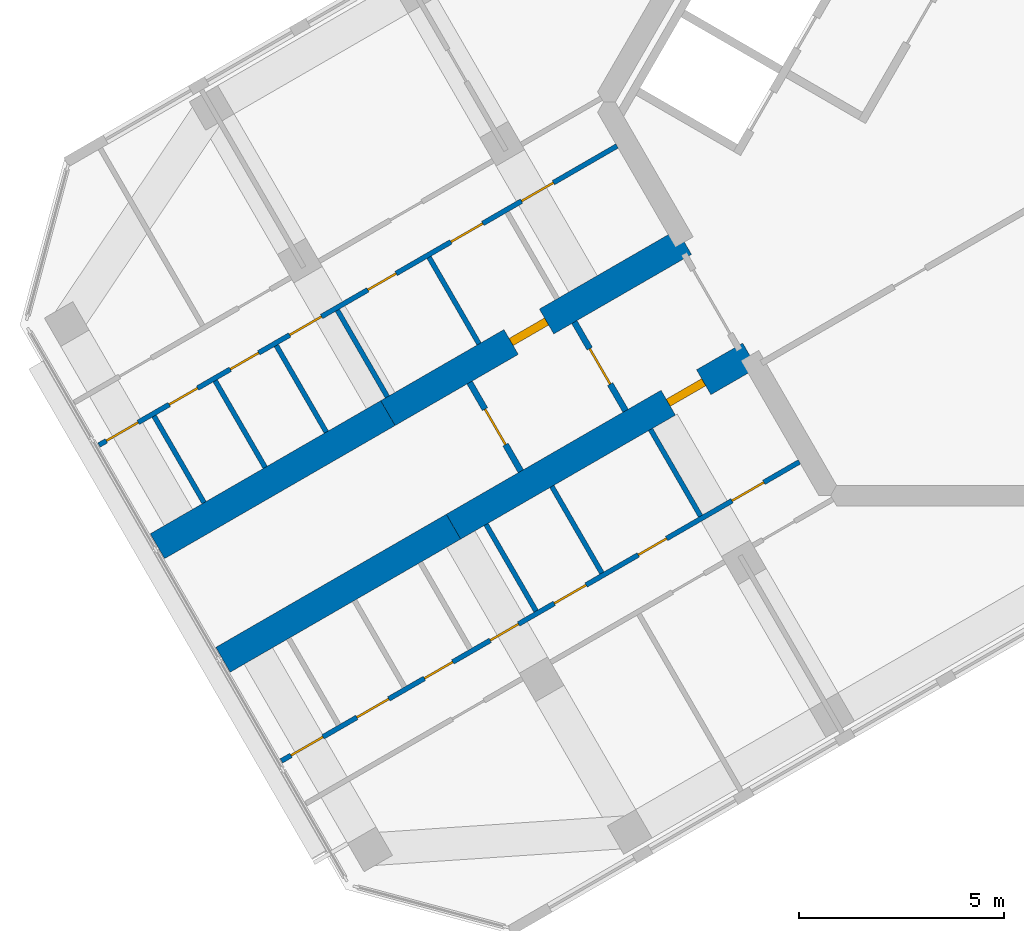
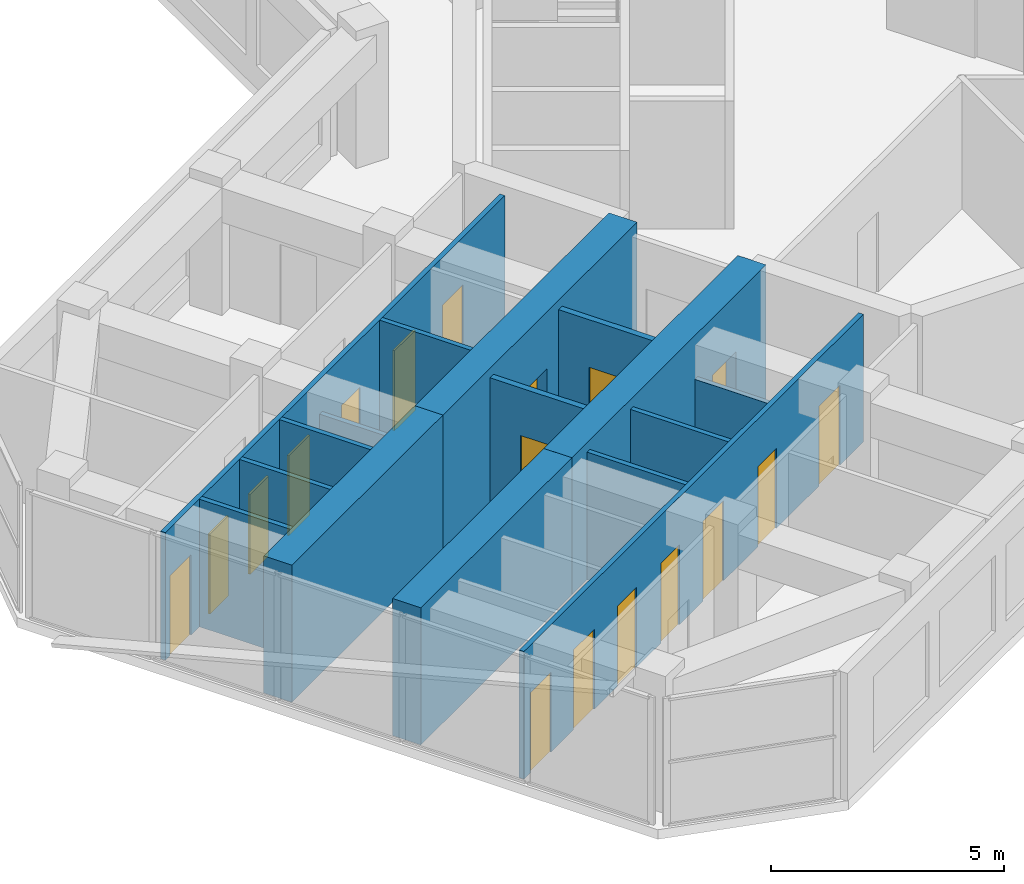
# One storey, part 7 of 14: 18 doors, 16 walls, 18 openings.
"""IFC4 building model written with IfcOpenShell, lengths in metres."""

from ifc_helpers import new_model, si_unit, direction, frame, frame_2d, origin, place, context, subcontext, project, spatial, rectangle, extrude, material, layer, layer_set, type_object, element, fill, save


model = new_model("IFC4")

# Units and contexts
model_context = context("Model", 3, precision=1e-05, world=origin(), true_north=direction((0.0, 1.0)))
body_context = subcontext(model_context, "Body", "Model", "MODEL_VIEW")
ifc_project = project(units=[si_unit("LENGTHUNIT", "METRE"), si_unit("AREAUNIT", "SQUARE_METRE"), si_unit("VOLUMEUNIT", "CUBIC_METRE"), si_unit("PLANEANGLEUNIT", "RADIAN"), si_unit("MASSUNIT", "GRAM", prefix="KILO")], contexts=[model_context])

# Site, building, storey
site_placement = place(None, origin())
site = spatial("IfcSite", under=ifc_project, at=site_placement, CompositionType="ELEMENT")
building_placement = place(site_placement, origin())
building = spatial("IfcBuilding", under=site, at=building_placement, Name="Kosmar Iwan School Tower", CompositionType="ELEMENT")
storey_placement = place(building_placement, frame((0.0, 0.0, 285.39990234375)))
storey = spatial("IfcBuildingStorey", under=building, at=storey_placement, Name="L72", CompositionType="ELEMENT", Elevation=285.39990234375)

# Wall, opening, door
ifc_material_1 = material(Name="Concrete C50/60", Category="concrete")
ifc_layer_1 = layer(ifc_material_1, 0.699951171875)
ifc_layer_set_1 = layer_set([ifc_layer_1], Name="Corridor buttress wall 700")
wall_type_1 = type_object("IfcWallType", Name="Corridor buttress wall 700", PredefinedType="SHEAR", material=ifc_layer_set_1)
wall_1_placement = place(storey_placement, frame((-7.513916015625, -6.185546875, 0.0), z_axis=(0.0, 0.0, 1.0), x_axis=(-0.866019549707, -0.500010139422, 0.0)))
wall_1 = element("IfcWall", 1, at=wall_1_placement, inside=storey, type_object=wall_type_1, Name="Corridor wall BL", PredefinedType="SHEAR", context=body_context, shape_type="SweptSolid", body=[
    extrude(rectangle(XDim=8.349853515625, YDim=0.699951171875, at=frame_2d((4.1748046875, 0.0))), origin(), (0.0, 0.0, 1.0), 3.60009765625),
])
opening_1_placement = place(wall_1_placement, frame((1.300048828125, 0.0, 0.0)))
opening_1 = element("IfcOpeningElement", 2, at=opening_1_placement, cuts=wall_1, Name="Opening D1", PredefinedType="OPENING", context=body_context, shape_type="SweptSolid", body=[
    extrude(rectangle(XDim=1.0, YDim=2.10009765625, at=frame_2d((0.5, 1.050048828125))), frame((0.0, 0.362060546875, 0.0), z_axis=(0.0, -1.0, 0.0), x_axis=(1.0, 0.0, 0.0)), (0.0, 0.0, 1.0), 0.723876953125),
])
ifc_material_2 = material(Name="Timber fire door in steel frame", Category="steel")
door_type_1 = type_object("IfcDoorType", Name="Flat entrance door 1000x2100", OperationType="SINGLE_SWING_LEFT", PredefinedType="DOOR", material=ifc_material_2)
door_1_placement = place(opening_1_placement, origin())
door_1 = element("IfcDoor", 3, at=door_1_placement, inside=storey, type_object=door_type_1, Name="Flat L72-BL1 entrance door", OperationType="SINGLE_SWING_RIGHT", OverallHeight=2.10009765625, OverallWidth=1.0, PredefinedType="DOOR", context=body_context, shape_type="SweptSolid", body=[
    extrude(rectangle(XDim=1.0, YDim=2.10009765625, at=frame_2d((0.5, 1.050048828125))), frame((0.0, 0.10009765625, 0.0), z_axis=(0.0, -1.0, 0.0), x_axis=(1.0, 0.0, 0.0)), (0.0, 0.0, 1.0), 0.199951171875),
])
fill(opening_1, door_1)

# Wall
wall_2_placement = place(storey_placement, frame((-14.7451171875, -10.360595703125, 0.0), z_axis=(0.0, 0.0, 1.0), x_axis=(-0.866027848477, -0.499995765644, 0.0)))
element("IfcWall", 4, at=wall_2_placement, inside=storey, type_object=wall_type_1, Name="Corridor wall BL bay 2", PredefinedType="SHEAR", context=body_context, shape_type="SweptSolid", body=[
    extrude(rectangle(XDim=6.4951171875, YDim=0.699951171875, at=frame_2d((3.24755859375, 0.0))), origin(), (0.0, 0.0, 1.0), 3.60009765625),
])

# Wall, opening, door
wall_3_placement = place(storey_placement, frame((-9.11376953125, -3.414306640625, 0.0), z_axis=(0.0, 0.0, 1.0), x_axis=(-0.866026859388, -0.499997478812, 0.0)))
wall_3 = element("IfcWall", 5, at=wall_3_placement, inside=storey, type_object=wall_type_1, Name="Corridor wall BR", PredefinedType="SHEAR", context=body_context, shape_type="SweptSolid", body=[
    extrude(rectangle(XDim=8.35009765625, YDim=0.699951171875, at=frame_2d((4.175048828125, 0.0))), origin(), (0.0, 0.0, 1.0), 3.60009765625),
])
opening_2_placement = place(wall_3_placement, frame((3.8798828125, 0.0, 0.0)))
opening_2 = element("IfcOpeningElement", 6, at=opening_2_placement, cuts=wall_3, Name="Opening D1", PredefinedType="OPENING", context=body_context, shape_type="SweptSolid", body=[
    extrude(rectangle(XDim=1.0, YDim=2.10009765625, at=frame_2d((0.5, 1.050048828125))), frame((0.0, 0.362060546875, 0.0), z_axis=(0.0, -1.0, 0.0), x_axis=(1.0, 0.0, 0.0)), (0.0, 0.0, 1.0), 0.723876953125),
])
door_2_placement = place(opening_2_placement, origin())
door_2 = element("IfcDoor", 7, at=door_2_placement, inside=storey, type_object=door_type_1, Name="Flat L72-BR1 entrance door", OperationType="SINGLE_SWING_LEFT", OverallHeight=2.10009765625, OverallWidth=1.0, PredefinedType="DOOR", context=body_context, shape_type="SweptSolid", body=[
    extrude(rectangle(XDim=1.0, YDim=2.10009765625, at=frame_2d((0.5, 1.050048828125))), frame((0.0, 0.10009765625, 0.0), z_axis=(0.0, -1.0, 0.0), x_axis=(1.0, 0.0, 0.0)), (0.0, 0.0, 1.0), 0.199951171875),
])
fill(opening_2, door_2)

# Wall
wall_4_placement = place(storey_placement, frame((-16.34521484375, -7.58935546875, 0.0), z_axis=(0.0, 0.0, 1.0), x_axis=(-0.866018451174, -0.500012042081, 0.0)))
element("IfcWall", 8, at=wall_4_placement, inside=storey, type_object=wall_type_1, Name="Corridor wall BR bay 2", PredefinedType="SHEAR", context=body_context, shape_type="SweptSolid", body=[
    extrude(rectangle(XDim=6.494873046875, YDim=0.699951171875, at=frame_2d((3.24755859375, 0.0))), origin(), (0.0, 0.0, 1.0), 3.60009765625),
])

# Wall, opening, door
ifc_material_3 = material(Name="Gypsum board on steel studs, fire-rated", Category="steel")
ifc_layer_2 = layer(ifc_material_3, 0.14990234375)
ifc_layer_set_2 = layer_set([ifc_layer_2], Name="Corridor end wall 150")
wall_type_2 = type_object("IfcWallType", Name="Corridor end wall 150", PredefinedType="PARTITIONING", material=ifc_layer_set_2)
wall_5_placement = place(storey_placement, frame((-14.3515625, -6.842529296875, 0.0), z_axis=(0.0, 0.0, 1.0), x_axis=(0.500004234368, -0.866022959057, 0.0)))
wall_5 = element("IfcWall", 9, at=wall_5_placement, inside=storey, type_object=wall_type_2, Name="Partition L72-B-CE", PredefinedType="PARTITIONING", context=body_context, shape_type="SweptSolid", body=[
    extrude(rectangle(XDim=2.5, YDim=0.14990234375, at=frame_2d((1.25, 0.0))), origin(), (0.0, 0.0, 1.0), 3.35009765625),
])
opening_3_placement = place(wall_5_placement, frame((0.75, 0.0, 0.0)))
opening_3 = element("IfcOpeningElement", 10, at=opening_3_placement, cuts=wall_5, Name="Opening D13", PredefinedType="OPENING", context=body_context, shape_type="SweptSolid", body=[
    extrude(rectangle(XDim=1.0, YDim=2.10009765625, at=frame_2d((0.5, 1.050048828125))), frame((0.0, 0.0869140625, 0.0), z_axis=(0.0, -1.0, 0.0), x_axis=(1.0, 0.0, 0.0)), (0.0, 0.0, 1.0), 0.173828125),
])
ifc_material_4 = material(Name="Timber fire door with vision panel", Category="wood")
door_type_2 = type_object("IfcDoorType", Name="Corridor end door 1000x2100", OperationType="SINGLE_SWING_LEFT", PredefinedType="DOOR", material=ifc_material_4)
door_3_placement = place(opening_3_placement, origin())
door_3 = element("IfcDoor", 11, at=door_3_placement, inside=storey, type_object=door_type_2, Name="Prayer room door L72-B", OperationType="SINGLE_SWING_RIGHT", OverallHeight=2.10009765625, OverallWidth=1.0, PredefinedType="DOOR", context=body_context, shape_type="SweptSolid", body=[
    extrude(rectangle(XDim=1.0, YDim=2.10009765625, at=frame_2d((0.5, 1.050048828125))), frame((0.0, 0.02490234375, 0.0), z_axis=(0.0, -1.0, 0.0), x_axis=(1.0, 0.0, 0.0)), (0.0, 0.0, 1.0), 0.050048828125),
])
fill(opening_3, door_3)

wall_6_placement = place(storey_placement, frame((-11.796630859375, -5.367431640625, 0.0), z_axis=(0.0, 0.0, 1.0), x_axis=(0.500004234368, -0.866022959057, 0.0)))
wall_6 = element("IfcWall", 12, at=wall_6_placement, inside=storey, type_object=wall_type_2, Name="Partition L72-B-HW", PredefinedType="PARTITIONING", context=body_context, shape_type="SweptSolid", body=[
    extrude(rectangle(XDim=2.5, YDim=0.14990234375, at=frame_2d((1.25, 0.0))), origin(), (0.0, 0.0, 1.0), 3.35009765625),
])
opening_4_placement = place(wall_6_placement, frame((0.75, 0.0, 0.0)))
opening_4 = element("IfcOpeningElement", 13, at=opening_4_placement, cuts=wall_6, Name="Opening D13", PredefinedType="OPENING", context=body_context, shape_type="SweptSolid", body=[
    extrude(rectangle(XDim=1.0, YDim=2.10009765625, at=frame_2d((0.5, 1.050048828125))), frame((0.0, 0.0869140625, 0.0), z_axis=(0.0, -1.0, 0.0), x_axis=(1.0, 0.0, 0.0)), (0.0, 0.0, 1.0), 0.173828125),
])
door_4_placement = place(opening_4_placement, origin())
door_4 = element("IfcDoor", 14, at=door_4_placement, inside=storey, type_object=door_type_2, Name="Entrance door L72-B", OperationType="SINGLE_SWING_LEFT", OverallHeight=2.10009765625, OverallWidth=1.0, PredefinedType="DOOR", context=body_context, shape_type="SweptSolid", body=[
    extrude(rectangle(XDim=1.0, YDim=2.10009765625, at=frame_2d((0.5, 1.050048828125))), frame((0.0, 0.02490234375, 0.0), z_axis=(0.0, -1.0, 0.0), x_axis=(1.0, 0.0, 0.0)), (0.0, 0.0, 1.0), 0.050048828125),
])
fill(opening_4, door_4)

# Wall, openings, doors
ifc_material_5 = material(Name="Gypsum board on steel studs", Category="steel")
ifc_layer_3 = layer(ifc_material_5, 0.1201171875)
ifc_layer_set_3 = layer_set([ifc_layer_3], Name="Dwelling partition 120")
wall_type_3 = type_object("IfcWallType", Name="Dwelling partition 120", PredefinedType="PARTITIONING", material=ifc_layer_set_3)
wall_7_placement = place(storey_placement, frame((-6.305419921875, -8.77880859375, 0.0), z_axis=(0.0, 0.0, 1.0), x_axis=(-0.866022348096, -0.50000529257, 0.0)))
wall_7 = element("IfcWall", 15, at=wall_7_placement, inside=storey, type_object=wall_type_3, Name="Partition L72-BL1-W1", PredefinedType="PARTITIONING", context=body_context, shape_type="SweptSolid", body=[
    extrude(rectangle(XDim=14.594970703125, YDim=0.1201171875, at=frame_2d((7.29736328125, 0.0))), origin(), (0.0, 0.0, 1.0), 3.35009765625),
])
opening_5_placement = place(wall_7_placement, frame((1.0, 0.0, 0.0)))
opening_5 = element("IfcOpeningElement", 16, at=opening_5_placement, cuts=wall_7, Name="Opening D2", PredefinedType="OPENING", context=body_context, shape_type="SweptSolid", body=[
    extrude(rectangle(XDim=0.89990234375, YDim=2.10009765625, at=frame_2d((0.449951171875, 1.050048828125))), frame((0.0, 0.072021484375, 0.0), z_axis=(0.0, -1.0, 0.0), x_axis=(1.0, 0.0, 0.0)), (0.0, 0.0, 1.0), 0.14404296875),
])
opening_6_placement = place(wall_7_placement, frame((3.740478515625, 0.0, 0.0)))
opening_6 = element("IfcOpeningElement", 17, at=opening_6_placement, cuts=wall_7, Name="Opening D3", PredefinedType="OPENING", context=body_context, shape_type="SweptSolid", body=[
    extrude(rectangle(XDim=0.800048828125, YDim=2.10009765625, at=frame_2d((0.39990234375, 1.050048828125))), frame((0.0, 0.072021484375, 0.0), z_axis=(0.0, -1.0, 0.0), x_axis=(1.0, 0.0, 0.0)), (0.0, 0.0, 1.0), 0.14404296875),
])
opening_7_placement = place(wall_7_placement, frame((6.0078125, 0.0, 0.0)))
opening_7 = element("IfcOpeningElement", 18, at=opening_7_placement, cuts=wall_7, Name="Opening D2", PredefinedType="OPENING", context=body_context, shape_type="SweptSolid", body=[
    extrude(rectangle(XDim=0.89990234375, YDim=2.10009765625, at=frame_2d((0.449951171875, 1.050048828125))), frame((0.0, 0.072021484375, 0.0), z_axis=(0.0, -1.0, 0.0), x_axis=(1.0, 0.0, 0.0)), (0.0, 0.0, 1.0), 0.14404296875),
])
opening_8_placement = place(wall_7_placement, frame((7.91162109375, 0.0, 0.0)))
opening_8 = element("IfcOpeningElement", 19, at=opening_8_placement, cuts=wall_7, Name="Opening D3", PredefinedType="OPENING", context=body_context, shape_type="SweptSolid", body=[
    extrude(rectangle(XDim=0.800048828125, YDim=2.10009765625, at=frame_2d((0.39990234375, 1.050048828125))), frame((0.0, 0.072021484375, 0.0), z_axis=(0.0, -1.0, 0.0), x_axis=(1.0, 0.0, 0.0)), (0.0, 0.0, 1.0), 0.14404296875),
])
opening_9_placement = place(wall_7_placement, frame((9.765380859375, 0.0, 0.0)))
opening_9 = element("IfcOpeningElement", 20, at=opening_9_placement, cuts=wall_7, Name="Opening D3", PredefinedType="OPENING", context=body_context, shape_type="SweptSolid", body=[
    extrude(rectangle(XDim=0.800048828125, YDim=2.10009765625, at=frame_2d((0.39990234375, 1.050048828125))), frame((0.0, 0.072021484375, 0.0), z_axis=(0.0, -1.0, 0.0), x_axis=(1.0, 0.0, 0.0)), (0.0, 0.0, 1.0), 0.14404296875),
])
opening_10_placement = place(wall_7_placement, frame((11.5693359375, 0.0, 0.0)))
opening_10 = element("IfcOpeningElement", 21, at=opening_10_placement, cuts=wall_7, Name="Opening D2", PredefinedType="OPENING", context=body_context, shape_type="SweptSolid", body=[
    extrude(rectangle(XDim=0.89990234375, YDim=2.10009765625, at=frame_2d((0.449951171875, 1.050048828125))), frame((0.0, 0.072021484375, 0.0), z_axis=(0.0, -1.0, 0.0), x_axis=(1.0, 0.0, 0.0)), (0.0, 0.0, 1.0), 0.14404296875),
])
opening_11_placement = place(wall_7_placement, frame((13.423095703125, 0.0, 0.0)))
opening_11 = element("IfcOpeningElement", 22, at=opening_11_placement, cuts=wall_7, Name="Opening D2", PredefinedType="OPENING", context=body_context, shape_type="SweptSolid", body=[
    extrude(rectangle(XDim=0.89990234375, YDim=2.10009765625, at=frame_2d((0.449951171875, 1.050048828125))), frame((0.0, 0.072021484375, 0.0), z_axis=(0.0, -1.0, 0.0), x_axis=(1.0, 0.0, 0.0)), (0.0, 0.0, 1.0), 0.14404296875),
])
ifc_material_6 = material(Name="Timber door in timber frame", Category="wood")
door_type_3 = type_object("IfcDoorType", Name="Internal door 900x2100", OperationType="SINGLE_SWING_LEFT", PredefinedType="DOOR", material=ifc_material_6)
door_5_placement = place(opening_5_placement, origin())
door_5 = element("IfcDoor", 23, at=door_5_placement, inside=storey, type_object=door_type_3, Name="Entrance hall door L72-BL1-S1", OperationType="SINGLE_SWING_LEFT", OverallHeight=2.10009765625, OverallWidth=0.89990234375, PredefinedType="DOOR", context=body_context, shape_type="SweptSolid", body=[
    extrude(rectangle(XDim=0.89990234375, YDim=2.10009765625, at=frame_2d((0.449951171875, 1.050048828125))), frame((0.0, 0.02490234375, 0.0), z_axis=(0.0, -1.0, 0.0), x_axis=(1.0, 0.0, 0.0)), (0.0, 0.0, 1.0), 0.050048828125),
])
fill(opening_5, door_5)
door_6_placement = place(opening_7_placement, origin())
door_6 = element("IfcDoor", 24, at=door_6_placement, inside=storey, type_object=door_type_3, Name="Pantry door L72-BL1-S3", OperationType="SINGLE_SWING_LEFT", OverallHeight=2.10009765625, OverallWidth=0.89990234375, PredefinedType="DOOR", context=body_context, shape_type="SweptSolid", body=[
    extrude(rectangle(XDim=0.89990234375, YDim=2.10009765625, at=frame_2d((0.449951171875, 1.050048828125))), frame((0.0, 0.02490234375, 0.0), z_axis=(0.0, -1.0, 0.0), x_axis=(1.0, 0.0, 0.0)), (0.0, 0.0, 1.0), 0.050048828125),
])
fill(opening_7, door_6)
door_7_placement = place(opening_10_placement, origin())
door_7 = element("IfcDoor", 25, at=door_7_placement, inside=storey, type_object=door_type_3, Name="Utility room door L72-BL1-S6", OperationType="SINGLE_SWING_RIGHT", OverallHeight=2.10009765625, OverallWidth=0.89990234375, PredefinedType="DOOR", context=body_context, shape_type="SweptSolid", body=[
    extrude(rectangle(XDim=0.89990234375, YDim=2.10009765625, at=frame_2d((0.449951171875, 1.050048828125))), frame((0.0, 0.02490234375, 0.0), z_axis=(0.0, -1.0, 0.0), x_axis=(1.0, 0.0, 0.0)), (0.0, 0.0, 1.0), 0.050048828125),
])
fill(opening_10, door_7)
door_8_placement = place(opening_11_placement, origin())
door_8 = element("IfcDoor", 26, at=door_8_placement, inside=storey, type_object=door_type_3, Name="Dressing room door L72-BL1-S7", OperationType="SINGLE_SWING_RIGHT", OverallHeight=2.10009765625, OverallWidth=0.89990234375, PredefinedType="DOOR", context=body_context, shape_type="SweptSolid", body=[
    extrude(rectangle(XDim=0.89990234375, YDim=2.10009765625, at=frame_2d((0.449951171875, 1.050048828125))), frame((0.0, 0.02490234375, 0.0), z_axis=(0.0, -1.0, 0.0), x_axis=(1.0, 0.0, 0.0)), (0.0, 0.0, 1.0), 0.050048828125),
])
fill(opening_11, door_8)
ifc_material_7 = material(Name="Timber door in timber frame", Category="wood")
door_type_4 = type_object("IfcDoorType", Name="Sanitary room door 800x2100", OperationType="SINGLE_SWING_LEFT", PredefinedType="DOOR", material=ifc_material_7)
door_9_placement = place(opening_6_placement, origin())
door_9 = element("IfcDoor", 27, at=door_9_placement, inside=storey, type_object=door_type_4, Name="Bathroom door L72-BL1-S2", OperationType="SINGLE_SWING_LEFT", OverallHeight=2.10009765625, OverallWidth=0.800048828125, PredefinedType="DOOR", context=body_context, shape_type="SweptSolid", body=[
    extrude(rectangle(XDim=0.800048828125, YDim=2.10009765625, at=frame_2d((0.39990234375, 1.050048828125))), frame((0.0, 0.02490234375, 0.0), z_axis=(0.0, -1.0, 0.0), x_axis=(1.0, 0.0, 0.0)), (0.0, 0.0, 1.0), 0.050048828125),
])
fill(opening_6, door_9)
door_10_placement = place(opening_8_placement, origin())
door_10 = element("IfcDoor", 28, at=door_10_placement, inside=storey, type_object=door_type_4, Name="WC door L72-BL1-S4", OperationType="SINGLE_SWING_RIGHT", OverallHeight=2.10009765625, OverallWidth=0.800048828125, PredefinedType="DOOR", context=body_context, shape_type="SweptSolid", body=[
    extrude(rectangle(XDim=0.800048828125, YDim=2.10009765625, at=frame_2d((0.39990234375, 1.050048828125))), frame((0.0, 0.02490234375, 0.0), z_axis=(0.0, -1.0, 0.0), x_axis=(1.0, 0.0, 0.0)), (0.0, 0.0, 1.0), 0.050048828125),
])
fill(opening_8, door_10)
door_11_placement = place(opening_9_placement, origin())
door_11 = element("IfcDoor", 29, at=door_11_placement, inside=storey, type_object=door_type_4, Name="Store door L72-BL1-S5", OperationType="SINGLE_SWING_RIGHT", OverallHeight=2.10009765625, OverallWidth=0.800048828125, PredefinedType="DOOR", context=body_context, shape_type="SweptSolid", body=[
    extrude(rectangle(XDim=0.800048828125, YDim=2.10009765625, at=frame_2d((0.39990234375, 1.050048828125))), frame((0.0, 0.02490234375, 0.0), z_axis=(0.0, -1.0, 0.0), x_axis=(1.0, 0.0, 0.0)), (0.0, 0.0, 1.0), 0.050048828125),
])
fill(opening_9, door_11)

# Walls
wall_8_placement = place(storey_placement, frame((-9.93701171875, -7.98876953125, 0.0), z_axis=(0.0, 0.0, 1.0), x_axis=(0.500077547548, -0.865980627057, 0.0)))
element("IfcWall", 30, at=wall_8_placement, inside=storey, type_object=wall_type_3, Name="Partition L72-BL1-Y1", PredefinedType="PARTITIONING", context=body_context, shape_type="SweptSolid", body=[
    extrude(rectangle(XDim=2.43994140625, YDim=0.1201171875, at=frame_2d((1.219970703125, 0.0))), origin(), (0.0, 0.0, 1.0), 2.4501953125),
])
for number, where, z_axis, x_axis, name in (
    (31, (-12.34521484375, -9.379150390625, 0.0), (0.0, 0.0, 1.0), (0.500002508028, -0.866023955769, 0.0), "Partition L72-BL1-Y2"),
    (32, (-13.95068359375, -10.30615234375, 0.0), (0.0, 0.0, 1.0), (0.500002508028, -0.866023955769, 0.0), "Partition L72-BL1-Y3"),
):
    element("IfcWall", number, at=place(storey_placement, frame(where, z_axis=z_axis, x_axis=x_axis)), inside=storey, type_object=wall_type_3, Name=name, PredefinedType="PARTITIONING", context=body_context, shape_type="SweptSolid", body=[
        extrude(rectangle(XDim=2.43994140625, YDim=0.1201171875, at=frame_2d((1.219970703125, 0.0))), origin(), (0.0, 0.0, 1.0), 3.35009765625),
    ])

# Wall, openings, doors
wall_9_placement = place(storey_placement, frame((-10.75537109375, -1.0712890625, 0.0), z_axis=(0.0, 0.0, 1.0), x_axis=(-0.866029591389, -0.499992746786, 0.0)))
wall_9 = element("IfcWall", 33, at=wall_9_placement, inside=storey, type_object=wall_type_3, Name="Partition L72-BR1-W1", PredefinedType="PARTITIONING", context=body_context, shape_type="SweptSolid", body=[
    extrude(rectangle(XDim=14.594970703125, YDim=0.1201171875, at=frame_2d((7.29736328125, 0.0))), origin(), (0.0, 0.0, 1.0), 3.35009765625),
])
opening_12_placement = place(wall_9_placement, frame((1.7900390625, 0.0, 0.0)))
opening_12 = element("IfcOpeningElement", 34, at=opening_12_placement, cuts=wall_9, Name="Opening D2", PredefinedType="OPENING", context=body_context, shape_type="SweptSolid", body=[
    extrude(rectangle(XDim=0.89990234375, YDim=2.10009765625, at=frame_2d((0.449951171875, 1.050048828125))), frame((0.0, 0.072021484375, 0.0), z_axis=(0.0, -1.0, 0.0), x_axis=(1.0, 0.0, 0.0)), (0.0, 0.0, 1.0), 0.14404296875),
])
opening_13_placement = place(wall_9_placement, frame((3.780029296875, 0.0, 0.0)))
opening_13 = element("IfcOpeningElement", 35, at=opening_13_placement, cuts=wall_9, Name="Opening D2", PredefinedType="OPENING", context=body_context, shape_type="SweptSolid", body=[
    extrude(rectangle(XDim=0.89990234375, YDim=2.10009765625, at=frame_2d((0.449951171875, 1.050048828125))), frame((0.0, 0.072021484375, 0.0), z_axis=(0.0, -1.0, 0.0), x_axis=(1.0, 0.0, 0.0)), (0.0, 0.0, 1.0), 0.14404296875),
])
opening_14_placement = place(wall_9_placement, frame((6.221435546875, 0.0, 0.0)))
opening_14 = element("IfcOpeningElement", 36, at=opening_14_placement, cuts=wall_9, Name="Opening D3", PredefinedType="OPENING", context=body_context, shape_type="SweptSolid", body=[
    extrude(rectangle(XDim=0.800048828125, YDim=2.10009765625, at=frame_2d((0.39990234375, 1.050048828125))), frame((0.0, 0.072021484375, 0.0), z_axis=(0.0, -1.0, 0.0), x_axis=(1.0, 0.0, 0.0)), (0.0, 0.0, 1.0), 0.14404296875),
])
opening_15_placement = place(wall_9_placement, frame((8.32373046875, 0.0, 0.0)))
opening_15 = element("IfcOpeningElement", 37, at=opening_15_placement, cuts=wall_9, Name="Opening D2", PredefinedType="OPENING", context=body_context, shape_type="SweptSolid", body=[
    extrude(rectangle(XDim=0.89990234375, YDim=2.10009765625, at=frame_2d((0.449951171875, 1.050048828125))), frame((0.0, 0.072021484375, 0.0), z_axis=(0.0, -1.0, 0.0), x_axis=(1.0, 0.0, 0.0)), (0.0, 0.0, 1.0), 0.14404296875),
])
opening_16_placement = place(wall_9_placement, frame((10.095458984375, 0.0, 0.0)))
opening_16 = element("IfcOpeningElement", 38, at=opening_16_placement, cuts=wall_9, Name="Opening D3", PredefinedType="OPENING", context=body_context, shape_type="SweptSolid", body=[
    extrude(rectangle(XDim=0.800048828125, YDim=2.10009765625, at=frame_2d((0.39990234375, 1.050048828125))), frame((0.0, 0.072021484375, 0.0), z_axis=(0.0, -1.0, 0.0), x_axis=(1.0, 0.0, 0.0)), (0.0, 0.0, 1.0), 0.14404296875),
])
opening_17_placement = place(wall_9_placement, frame((11.8173828125, 0.0, 0.0)))
opening_17 = element("IfcOpeningElement", 39, at=opening_17_placement, cuts=wall_9, Name="Opening D3", PredefinedType="OPENING", context=body_context, shape_type="SweptSolid", body=[
    extrude(rectangle(XDim=0.800048828125, YDim=2.10009765625, at=frame_2d((0.39990234375, 1.050048828125))), frame((0.0, 0.072021484375, 0.0), z_axis=(0.0, -1.0, 0.0), x_axis=(1.0, 0.0, 0.0)), (0.0, 0.0, 1.0), 0.14404296875),
])
opening_18_placement = place(wall_9_placement, frame((13.489013671875, 0.0, 0.0)))
opening_18 = element("IfcOpeningElement", 40, at=opening_18_placement, cuts=wall_9, Name="Opening D2", PredefinedType="OPENING", context=body_context, shape_type="SweptSolid", body=[
    extrude(rectangle(XDim=0.89990234375, YDim=2.10009765625, at=frame_2d((0.449951171875, 1.050048828125))), frame((0.0, 0.072021484375, 0.0), z_axis=(0.0, -1.0, 0.0), x_axis=(1.0, 0.0, 0.0)), (0.0, 0.0, 1.0), 0.14404296875),
])
door_12_placement = place(opening_12_placement, origin())
door_12 = element("IfcDoor", 41, at=door_12_placement, inside=storey, type_object=door_type_3, Name="Utility room door L72-BR1-S1", OperationType="SINGLE_SWING_RIGHT", OverallHeight=2.10009765625, OverallWidth=0.89990234375, PredefinedType="DOOR", context=body_context, shape_type="SweptSolid", body=[
    extrude(rectangle(XDim=0.89990234375, YDim=2.10009765625, at=frame_2d((0.449951171875, 1.050048828125))), frame((0.0, 0.02490234375, 0.0), z_axis=(0.0, -1.0, 0.0), x_axis=(1.0, 0.0, 0.0)), (0.0, 0.0, 1.0), 0.050048828125),
])
fill(opening_12, door_12)
door_13_placement = place(opening_13_placement, origin())
door_13 = element("IfcDoor", 42, at=door_13_placement, inside=storey, type_object=door_type_3, Name="Entrance hall door L72-BR1-S2", OperationType="SINGLE_SWING_LEFT", OverallHeight=2.10009765625, OverallWidth=0.89990234375, PredefinedType="DOOR", context=body_context, shape_type="SweptSolid", body=[
    extrude(rectangle(XDim=0.89990234375, YDim=2.10009765625, at=frame_2d((0.449951171875, 1.050048828125))), frame((0.0, 0.02490234375, 0.0), z_axis=(0.0, -1.0, 0.0), x_axis=(1.0, 0.0, 0.0)), (0.0, 0.0, 1.0), 0.050048828125),
])
fill(opening_13, door_13)
door_14_placement = place(opening_15_placement, origin())
door_14 = element("IfcDoor", 43, at=door_14_placement, inside=storey, type_object=door_type_3, Name="Pantry door L72-BR1-S4", OperationType="SINGLE_SWING_LEFT", OverallHeight=2.10009765625, OverallWidth=0.89990234375, PredefinedType="DOOR", context=body_context, shape_type="SweptSolid", body=[
    extrude(rectangle(XDim=0.89990234375, YDim=2.10009765625, at=frame_2d((0.449951171875, 1.050048828125))), frame((0.0, 0.02490234375, 0.0), z_axis=(0.0, -1.0, 0.0), x_axis=(1.0, 0.0, 0.0)), (0.0, 0.0, 1.0), 0.050048828125),
])
fill(opening_15, door_14)
door_15_placement = place(opening_18_placement, origin())
door_15 = element("IfcDoor", 44, at=door_15_placement, inside=storey, type_object=door_type_3, Name="Dressing room door L72-BR1-S7", OperationType="SINGLE_SWING_RIGHT", OverallHeight=2.10009765625, OverallWidth=0.89990234375, PredefinedType="DOOR", context=body_context, shape_type="SweptSolid", body=[
    extrude(rectangle(XDim=0.89990234375, YDim=2.10009765625, at=frame_2d((0.449951171875, 1.050048828125))), frame((0.0, 0.02490234375, 0.0), z_axis=(0.0, -1.0, 0.0), x_axis=(1.0, 0.0, 0.0)), (0.0, 0.0, 1.0), 0.050048828125),
])
fill(opening_18, door_15)
door_16_placement = place(opening_14_placement, origin())
door_16 = element("IfcDoor", 45, at=door_16_placement, inside=storey, type_object=door_type_4, Name="Bathroom door L72-BR1-S3", OperationType="SINGLE_SWING_RIGHT", OverallHeight=2.10009765625, OverallWidth=0.800048828125, PredefinedType="DOOR", context=body_context, shape_type="SweptSolid", body=[
    extrude(rectangle(XDim=0.800048828125, YDim=2.10009765625, at=frame_2d((0.39990234375, 1.050048828125))), frame((0.0, 0.02490234375, 0.0), z_axis=(0.0, -1.0, 0.0), x_axis=(1.0, 0.0, 0.0)), (0.0, 0.0, 1.0), 0.050048828125),
])
fill(opening_14, door_16)
door_17_placement = place(opening_16_placement, origin())
door_17 = element("IfcDoor", 46, at=door_17_placement, inside=storey, type_object=door_type_4, Name="WC door L72-BR1-S5", OperationType="SINGLE_SWING_RIGHT", OverallHeight=2.10009765625, OverallWidth=0.800048828125, PredefinedType="DOOR", context=body_context, shape_type="SweptSolid", body=[
    extrude(rectangle(XDim=0.800048828125, YDim=2.10009765625, at=frame_2d((0.39990234375, 1.050048828125))), frame((0.0, 0.02490234375, 0.0), z_axis=(0.0, -1.0, 0.0), x_axis=(1.0, 0.0, 0.0)), (0.0, 0.0, 1.0), 0.050048828125),
])
fill(opening_16, door_17)
door_18_placement = place(opening_17_placement, origin())
door_18 = element("IfcDoor", 47, at=door_18_placement, inside=storey, type_object=door_type_4, Name="Store door L72-BR1-S6", OperationType="SINGLE_SWING_LEFT", OverallHeight=2.10009765625, OverallWidth=0.800048828125, PredefinedType="DOOR", context=body_context, shape_type="SweptSolid", body=[
    extrude(rectangle(XDim=0.800048828125, YDim=2.10009765625, at=frame_2d((0.39990234375, 1.050048828125))), frame((0.0, 0.02490234375, 0.0), z_axis=(0.0, -1.0, 0.0), x_axis=(1.0, 0.0, 0.0)), (0.0, 0.0, 1.0), 0.050048828125),
])
fill(opening_17, door_18)

# Walls
wall_10_placement = place(storey_placement, frame((-14.121337890625, -5.9013671875, 0.0), z_axis=(0.0, 0.0, 1.0), x_axis=(-0.499959183527, 0.866048967903, 0.0)))
element("IfcWall", 48, at=wall_10_placement, inside=storey, type_object=wall_type_3, Name="Partition L72-BR1-Y2", PredefinedType="PARTITIONING", context=body_context, shape_type="SweptSolid", body=[
    extrude(rectangle(XDim=2.440185546875, YDim=0.1201171875, at=frame_2d((1.22021484375, 0.0))), origin(), (0.0, 0.0, 1.0), 3.35009765625),
])
wall_11_placement = place(storey_placement, frame((-16.35791015625, -7.192626953125, 0.0), z_axis=(0.0, 0.0, 1.0), x_axis=(-0.500002508028, 0.866023955769, 0.0)))
element("IfcWall", 49, at=wall_11_placement, inside=storey, type_object=wall_type_3, Name="Partition L72-BR1-Y3", PredefinedType="PARTITIONING", context=body_context, shape_type="SweptSolid", body=[
    extrude(rectangle(XDim=2.43994140625, YDim=0.1201171875, at=frame_2d((1.219970703125, 0.0))), origin(), (0.0, 0.0, 1.0), 2.4501953125),
])
wall_12_placement = place(storey_placement, frame((-17.84912109375, -8.053466796875, 0.0), z_axis=(0.0, 0.0, 1.0), x_axis=(-0.500002508028, 0.866023955769, 0.0)))
element("IfcWall", 50, at=wall_12_placement, inside=storey, type_object=wall_type_3, Name="Partition L72-BR1-Y4", PredefinedType="PARTITIONING", context=body_context, shape_type="SweptSolid", body=[
    extrude(rectangle(XDim=2.43994140625, YDim=0.1201171875, at=frame_2d((1.219970703125, 0.0))), origin(), (0.0, 0.0, 1.0), 3.35009765625),
])
for number, where, z_axis, x_axis, name in (
    (51, (-19.34033203125, -8.91455078125, 0.0), (0.0, 0.0, 1.0), (-0.499959183527, 0.866048967903, 0.0), "Partition L72-BR1-Y5"),
    (52, (-20.831298828125, -9.775390625, 0.0), (0.0, 0.0, 1.0), (-0.500034220881, 0.866005645448, 0.0), "Partition L72-BR1-Y6"),
):
    element("IfcWall", number, at=place(storey_placement, frame(where, z_axis=z_axis, x_axis=x_axis)), inside=storey, type_object=wall_type_3, Name=name, PredefinedType="PARTITIONING", context=body_context, shape_type="SweptSolid", body=[
        extrude(rectangle(XDim=2.440185546875, YDim=0.1201171875, at=frame_2d((1.22021484375, 0.0))), origin(), (0.0, 0.0, 1.0), 3.35009765625),
    ])

save(model, "model.ifc")
